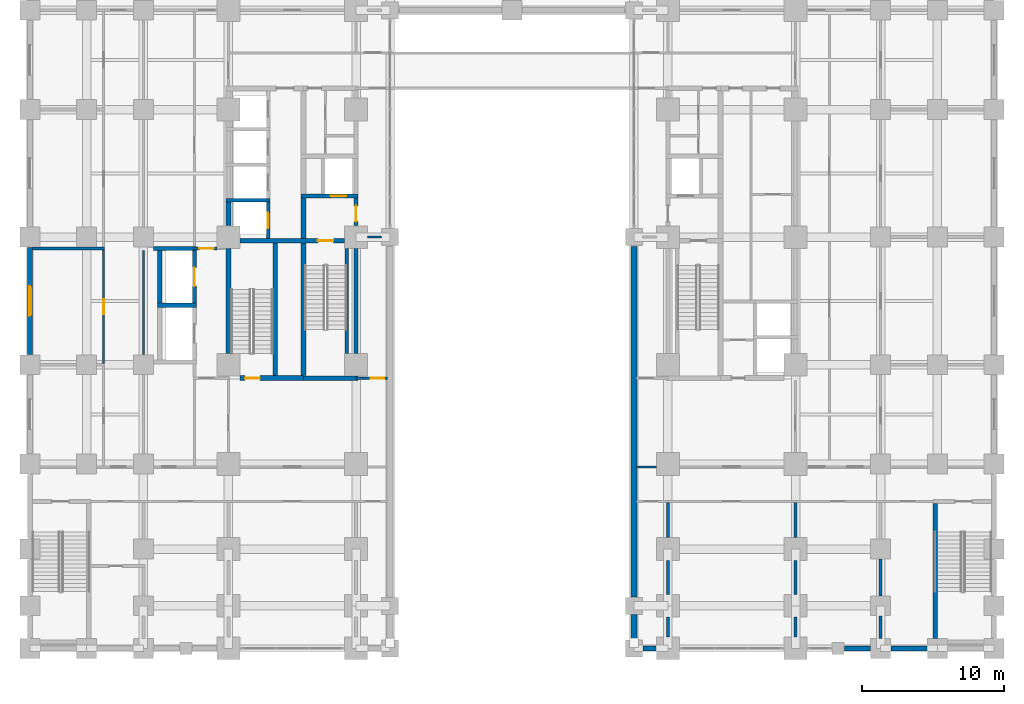
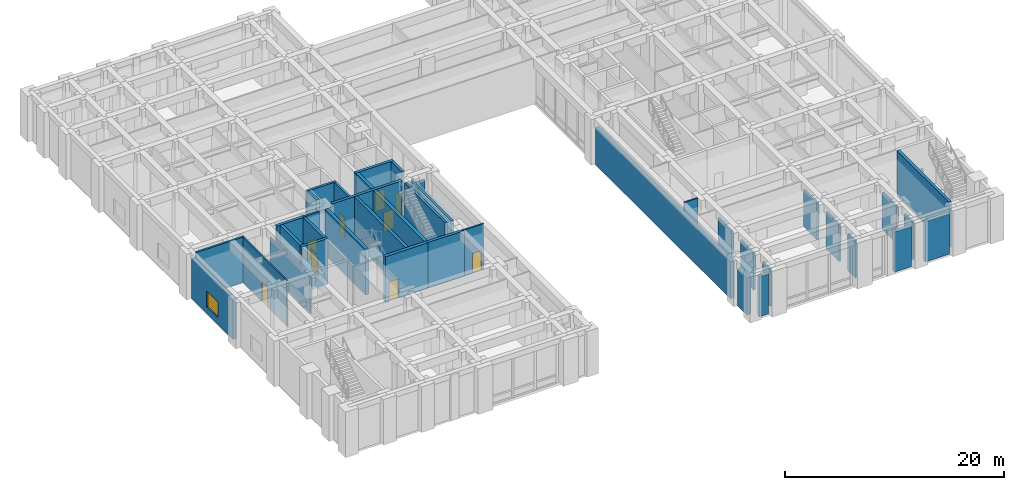
# One storey, part 9 of 21: 40 walls, 9 doors, 1 window, 10 openings.
"""IFC4 building model written with IfcOpenShell, lengths in metres."""

from ifc_helpers import new_model, si_unit, direction, frame, frame_2d, origin, place, context, subcontext, project, spatial, rectangle, extrude, material, layer, layer_set, type_object, element, fill, save


model = new_model("IFC4")

# Units and contexts
model_context = context("Model", 3, precision=1e-05, world=origin(), true_north=direction((0.0, 1.0)))
body_context = subcontext(model_context, "Body", "Model", "MODEL_VIEW")
ifc_project = project(units=[si_unit("LENGTHUNIT", "METRE"), si_unit("AREAUNIT", "SQUARE_METRE"), si_unit("VOLUMEUNIT", "CUBIC_METRE"), si_unit("PLANEANGLEUNIT", "RADIAN"), si_unit("MASSUNIT", "GRAM", prefix="KILO")], contexts=[model_context])

# Site, building, storey
site_placement = place(None, origin())
site = spatial("IfcSite", under=ifc_project, at=site_placement, CompositionType="ELEMENT")
building_placement = place(site_placement, origin())
building = spatial("IfcBuilding", under=site, at=building_placement, Name="Zulmaris Gate Convention Tower", CompositionType="ELEMENT")
storey_placement = place(building_placement, frame((0.0, 0.0, 5.43994140625)))
storey = spatial("IfcBuildingStorey", under=building, at=storey_placement, Name="L01", CompositionType="ELEMENT", Elevation=5.43994140625)

# Wall
ifc_material_1 = material(Name="Concrete C50/60", Category="concrete")
ifc_layer_1 = layer(ifc_material_1, 0.25, Name="Concrete C50/60")
ifc_layer_set_1 = layer_set([ifc_layer_1], Name="Concrete C50/60")
wall_type_1 = type_object("IfcWallType", Name="CORE-250", PredefinedType="SOLIDWALL", material=ifc_layer_set_1)
wall_1_placement = place(storey_placement, frame((-20.175048828125, 2.60009765625, 0.0), z_axis=(0.0, 0.0, 1.0), x_axis=(1.0, 0.0, 0.0)))
element("IfcWall", 1, at=wall_1_placement, inside=storey, type_object=wall_type_1, Name="WL-L01-016", PredefinedType="SOLIDWALL", context=body_context, shape_type="SweptSolid", body=[
    extrude(rectangle(XDim=3.10009765625, YDim=0.25, at=frame_2d((1.550048828125, 0.0))), origin(), (0.0, 0.0, 1.0), 5.08984375),
])

# Wall, opening, door
wall_2_placement = place(storey_placement, frame((-17.199951171875, -0.097900390625, 0.0), z_axis=(0.0, 0.0, 1.0), x_axis=(0.0, 1.0, 0.0)))
wall_2 = element("IfcWall", 2, at=wall_2_placement, inside=storey, type_object=wall_type_1, Name="WL-L01-078", PredefinedType="SOLIDWALL", context=body_context, shape_type="SweptSolid", body=[
    extrude(rectangle(XDim=2.57080078125, YDim=0.25, at=frame_2d((1.285400390625, 0.0))), origin(), (0.0, 0.0, 1.0), 5.08984375),
])
opening_1_placement = place(wall_2_placement, frame((0.722900390625, 0.0, 0.0)))
opening_1 = element("IfcOpeningElement", 3, at=opening_1_placement, cuts=wall_2, Name="Opening D-06", PredefinedType="OPENING", context=body_context, shape_type="SweptSolid", body=[
    extrude(rectangle(XDim=1.10009765625, YDim=2.199951171875, at=frame_2d((0.550048828125, 1.10009765625))), frame((0.0, 0.135009765625, 0.0), z_axis=(0.0, -1.0, 0.0), x_axis=(1.0, 0.0, 0.0)), (0.0, 0.0, 1.0), 0.27001953125),
])
ifc_material_2 = material(Name="Brushed Stainless Steel", Category="steel")
door_type_1 = type_object("IfcDoorType", Name="LD-1100", OperationType="NOTDEFINED", PredefinedType="DOOR", material=ifc_material_2)
door_1_placement = place(opening_1_placement, origin())
door_1 = element("IfcDoor", 4, at=door_1_placement, inside=storey, type_object=door_type_1, Name="L01 Lift Landing Door LP-01 15", OperationType="SLIDING_TO_LEFT", OverallHeight=2.199951171875, OverallWidth=1.10009765625, PredefinedType="DOOR", context=body_context, shape_type="SweptSolid", body=[
    extrude(rectangle(XDim=1.10009765625, YDim=2.199951171875, at=frame_2d((0.550048828125, 1.10009765625))), frame((0.0, 0.02490234375, 0.0), z_axis=(0.0, -1.0, 0.0), x_axis=(1.0, 0.0, 0.0)), (0.0, 0.0, 1.0), 0.050048828125),
])
fill(opening_1, door_1)

# Walls
wall_3_placement = place(storey_placement, frame((-11.64990234375, -8.196044921875, 0.0), z_axis=(0.0, 0.0, 1.0), x_axis=(0.0, 1.0, 0.0)))
element("IfcWall", 5, at=wall_3_placement, inside=storey, type_object=wall_type_1, Name="WL-L01-088", PredefinedType="SOLIDWALL", context=body_context, shape_type="SweptSolid", body=[
    extrude(rectangle(XDim=7.39208984375, YDim=0.25, at=frame_2d((3.696044921875, 0.0))), origin(), (0.0, 0.0, 1.0), 5.08984375),
])
ifc_layer_2 = layer(ifc_material_1, 0.300048828125, Name="Concrete C50/60")
ifc_layer_set_2 = layer_set([ifc_layer_2], Name="Concrete C50/60")
wall_type_2 = type_object("IfcWallType", Name="CORE-300", PredefinedType="SHEAR", material=ifc_layer_set_2)
wall_4_placement = place(storey_placement, frame((-14.699951171875, -9.949951171875, 0.0), z_axis=(0.0, 0.0, 1.0), x_axis=(1.0, 0.0, 0.0)))
element("IfcWall", 6, at=wall_4_placement, inside=storey, type_object=wall_type_2, Name="WL-L01-006", PredefinedType="SHEAR", context=body_context, shape_type="SweptSolid", body=[
    extrude(rectangle(XDim=3.849853515625, YDim=0.300048828125, at=frame_2d((1.9248046875, 0.0))), origin(), (0.0, 0.0, 1.0), 5.08984375),
])
wall_5_placement = place(storey_placement, frame((-25.0, -4.800048828125, 0.0), z_axis=(0.0, 0.0, 1.0), x_axis=(1.0, 0.0, 0.0)))
element("IfcWall", 7, at=wall_5_placement, inside=storey, type_object=wall_type_2, Name="WL-L01-011", PredefinedType="SHEAR", context=body_context, shape_type="SweptSolid", body=[
    extrude(rectangle(XDim=2.75, YDim=0.300048828125, at=frame_2d((1.375, 0.0))), origin(), (0.0, 0.0, 1.0), 5.08984375),
])
wall_6_placement = place(storey_placement, frame((-25.2958984375, -0.800048828125, 0.0), z_axis=(0.0, 0.0, 1.0), x_axis=(1.0, 0.0, 0.0)))
element("IfcWall", 8, at=wall_6_placement, inside=storey, type_object=wall_type_2, Name="WL-L01-013", PredefinedType="SHEAR", context=body_context, shape_type="SweptSolid", body=[
    extrude(rectangle(XDim=3.0458984375, YDim=0.300048828125, at=frame_2d((1.52294921875, 0.0))), origin(), (0.0, 0.0, 1.0), 5.08984375),
])

# Wall, opening, door
wall_7_placement = place(storey_placement, frame((-19.196044921875, -0.25, 0.0), z_axis=(0.0, 0.0, 1.0), x_axis=(1.0, 0.0, 0.0)))
wall_7 = element("IfcWall", 9, at=wall_7_placement, inside=storey, type_object=wall_type_2, Name="WL-L01-014", PredefinedType="SHEAR", context=body_context, shape_type="SweptSolid", body=[
    extrude(rectangle(XDim=7.39208984375, YDim=0.300048828125, at=frame_2d((3.696044921875, 0.0))), origin(), (0.0, 0.0, 1.0), 5.08984375),
])
opening_2_placement = place(wall_7_placement, frame((5.49609375, 0.0, 0.0)))
opening_2 = element("IfcOpeningElement", 10, at=opening_2_placement, cuts=wall_7, Name="Opening D-08", PredefinedType="OPENING", context=body_context, shape_type="SweptSolid", body=[
    extrude(rectangle(XDim=1.10009765625, YDim=2.14990234375, at=frame_2d((0.550048828125, 1.074951171875))), frame((0.0, 0.16015625, 0.0), z_axis=(0.0, -1.0, 0.0), x_axis=(1.0, 0.0, 0.0)), (0.0, 0.0, 1.0), 0.320068359375),
])
ifc_material_3 = material(Name="Fire-Rated Steel", Category="steel")
door_type_2 = type_object("IfcDoorType", Name="DR-1100-FD", OperationType="NOTDEFINED", PredefinedType="DOOR", material=ifc_material_3)
door_2_placement = place(opening_2_placement, origin())
door_2 = element("IfcDoor", 11, at=door_2_placement, inside=storey, type_object=door_type_2, Name="L01 Exit Stair ST-1 Door 01", OperationType="SINGLE_SWING_LEFT", OverallHeight=2.14990234375, OverallWidth=1.10009765625, PredefinedType="DOOR", context=body_context, shape_type="SweptSolid", body=[
    extrude(rectangle(XDim=1.10009765625, YDim=2.14990234375, at=frame_2d((0.550048828125, 1.074951171875))), frame((0.0, 0.02490234375, 0.0), z_axis=(0.0, -1.0, 0.0), x_axis=(1.0, 0.0, 0.0)), (0.0, 0.0, 1.0), 0.050048828125),
])
fill(opening_2, door_2)

wall_8_placement = place(storey_placement, frame((-14.875, 2.89990234375, 0.0), z_axis=(0.0, 0.0, 1.0), x_axis=(1.0, 0.0, 0.0)))
wall_8 = element("IfcWall", 12, at=wall_8_placement, inside=storey, type_object=wall_type_2, Name="WL-L01-017", PredefinedType="SHEAR", context=body_context, shape_type="SweptSolid", body=[
    extrude(rectangle(XDim=4.02490234375, YDim=0.300048828125, at=frame_2d((2.012451171875, 0.0))), origin(), (0.0, 0.0, 1.0), 5.08984375),
])
opening_3_placement = place(wall_8_placement, frame((2.074951171875, 0.0, 0.0)))
opening_3 = element("IfcOpeningElement", 13, at=opening_3_placement, cuts=wall_8, Name="Opening D-06", PredefinedType="OPENING", context=body_context, shape_type="SweptSolid", body=[
    extrude(rectangle(XDim=1.10009765625, YDim=2.199951171875, at=frame_2d((0.550048828125, 1.10009765625))), frame((0.0, 0.16015625, 0.0), z_axis=(0.0, -1.0, 0.0), x_axis=(1.0, 0.0, 0.0)), (0.0, 0.0, 1.0), 0.320068359375),
])
door_3_placement = place(opening_3_placement, origin())
door_3 = element("IfcDoor", 14, at=door_3_placement, inside=storey, type_object=door_type_1, Name="L01 Lift Landing Door LF-01 03", OperationType="SLIDING_TO_LEFT", OverallHeight=2.199951171875, OverallWidth=1.10009765625, PredefinedType="DOOR", context=body_context, shape_type="SweptSolid", body=[
    extrude(rectangle(XDim=1.10009765625, YDim=2.199951171875, at=frame_2d((0.550048828125, 1.10009765625))), frame((0.0, 0.02490234375, 0.0), z_axis=(0.0, -1.0, 0.0), x_axis=(1.0, 0.0, 0.0)), (0.0, 0.0, 1.0), 0.050048828125),
])
fill(opening_3, door_3)

# Wall
wall_9_placement = place(storey_placement, frame((-24.85009765625, -4.64794921875, 0.0), z_axis=(0.0, 0.0, 1.0), x_axis=(0.0, 1.0, 0.0)))
element("IfcWall", 15, at=wall_9_placement, inside=storey, type_object=wall_type_2, Name="WL-L01-070", PredefinedType="SHEAR", context=body_context, shape_type="SweptSolid", body=[
    extrude(rectangle(XDim=3.696044921875, YDim=0.300048828125, at=frame_2d((1.84814453125, 0.0))), origin(), (0.0, 0.0, 1.0), 5.08984375),
])

# Wall, opening, door
wall_10_placement = place(storey_placement, frame((-22.39990234375, -4.64794921875, 0.0), z_axis=(0.0, 0.0, 1.0), x_axis=(0.0, 1.0, 0.0)))
wall_10 = element("IfcWall", 16, at=wall_10_placement, inside=storey, type_object=wall_type_2, Name="WL-L01-072", PredefinedType="SHEAR", context=body_context, shape_type="SweptSolid", body=[
    extrude(rectangle(XDim=3.696044921875, YDim=0.300048828125, at=frame_2d((1.84814453125, 0.0))), origin(), (0.0, 0.0, 1.0), 5.08984375),
])
opening_4_placement = place(wall_10_placement, frame((1.197998046875, 0.0, 0.0)))
opening_4 = element("IfcOpeningElement", 17, at=opening_4_placement, cuts=wall_10, Name="Opening D-07", PredefinedType="OPENING", context=body_context, shape_type="SweptSolid", body=[
    extrude(rectangle(XDim=1.300048828125, YDim=2.300048828125, at=frame_2d((0.64990234375, 1.14990234375))), frame((0.0, 0.16015625, 0.0), z_axis=(0.0, -1.0, 0.0), x_axis=(1.0, 0.0, 0.0)), (0.0, 0.0, 1.0), 0.320068359375),
])
ifc_material_4 = material(Name="Heavy-Duty Brushed Stainless Steel", Category="steel")
door_type_3 = type_object("IfcDoorType", Name="LD-1300", OperationType="NOTDEFINED", PredefinedType="DOOR", material=ifc_material_4)
door_4_placement = place(opening_4_placement, origin())
door_4 = element("IfcDoor", 18, at=door_4_placement, inside=storey, type_object=door_type_3, Name="L01 Goods Lift Door GL-02 25", OperationType="SLIDING_TO_LEFT", OverallHeight=2.300048828125, OverallWidth=1.300048828125, PredefinedType="DOOR", context=body_context, shape_type="SweptSolid", body=[
    extrude(rectangle(XDim=1.300048828125, YDim=2.300048828125, at=frame_2d((0.64990234375, 1.14990234375))), frame((0.0, 0.02490234375, 0.0), z_axis=(0.0, -1.0, 0.0), x_axis=(1.0, 0.0, 0.0)), (0.0, 0.0, 1.0), 0.050048828125),
])
fill(opening_4, door_4)

# Walls
wall_11_placement = place(storey_placement, frame((-16.699951171875, -9.77294921875, 0.0), z_axis=(0.0, 0.0, 1.0), x_axis=(0.0, 1.0, 0.0)))
element("IfcWall", 19, at=wall_11_placement, inside=storey, type_object=wall_type_2, Name="WL-L01-082", PredefinedType="SHEAR", context=body_context, shape_type="SweptSolid", body=[
    extrude(rectangle(XDim=9.370849609375, YDim=0.300048828125, at=frame_2d((4.685546875, 0.0))), origin(), (0.0, 0.0, 1.0), 5.08984375),
])
wall_12_placement = place(storey_placement, frame((-11.0, -8.196044921875, 0.0), z_axis=(0.0, 0.0, 1.0), x_axis=(0.0, 1.0, 0.0)))
element("IfcWall", 20, at=wall_12_placement, inside=storey, type_object=wall_type_2, Name="WL-L01-089", PredefinedType="SHEAR", context=body_context, shape_type="SweptSolid", body=[
    extrude(rectangle(XDim=7.39208984375, YDim=0.300048828125, at=frame_2d((3.696044921875, 0.0))), origin(), (0.0, 0.0, 1.0), 5.08984375),
])

# Wall, opening, door
wall_13_placement = place(storey_placement, frame((-11.0, 0.803955078125, 0.0), z_axis=(0.0, 0.0, 1.0), x_axis=(0.0, 1.0, 0.0)))
wall_13 = element("IfcWall", 21, at=wall_13_placement, inside=storey, type_object=wall_type_2, Name="WL-L01-090", PredefinedType="SHEAR", context=body_context, shape_type="SweptSolid", body=[
    extrude(rectangle(XDim=1.944091796875, YDim=0.300048828125, at=frame_2d((0.97216796875, 0.0))), origin(), (0.0, 0.0, 1.0), 5.08984375),
])
opening_5_placement = place(wall_13_placement, frame((0.2958984375, 0.0, 0.0)))
opening_5 = element("IfcOpeningElement", 22, at=opening_5_placement, cuts=wall_13, Name="Opening D-08", PredefinedType="OPENING", context=body_context, shape_type="SweptSolid", body=[
    extrude(rectangle(XDim=1.10009765625, YDim=2.14990234375, at=frame_2d((0.550048828125, 1.074951171875))), frame((0.0, 0.16015625, 0.0), z_axis=(0.0, -1.0, 0.0), x_axis=(1.0, 0.0, 0.0)), (0.0, 0.0, 1.0), 0.320068359375),
])
door_5_placement = place(opening_5_placement, origin())
door_5 = element("IfcDoor", 23, at=door_5_placement, inside=storey, type_object=door_type_2, Name="L01 West Firefighting Lobby Door 02", OperationType="SINGLE_SWING_RIGHT", OverallHeight=2.14990234375, OverallWidth=1.10009765625, PredefinedType="DOOR", context=body_context, shape_type="SweptSolid", body=[
    extrude(rectangle(XDim=1.10009765625, YDim=2.14990234375, at=frame_2d((0.550048828125, 1.074951171875))), frame((0.0, 0.02490234375, 0.0), z_axis=(0.0, -1.0, 0.0), x_axis=(1.0, 0.0, 0.0)), (0.0, 0.0, 1.0), 0.050048828125),
])
fill(opening_5, door_5)

# Wall
wall_14_placement = place(storey_placement, frame((29.85009765625, -28.2958984375, 0.0), z_axis=(0.0, 0.0, 1.0), x_axis=(0.0, 1.0, 0.0)))
element("IfcWall", 24, at=wall_14_placement, inside=storey, type_object=wall_type_2, Name="WL-L01-108", PredefinedType="SHEAR", context=body_context, shape_type="SweptSolid", body=[
    extrude(rectangle(XDim=9.493896484375, YDim=0.300048828125, at=frame_2d((4.7470703125, 0.0))), origin(), (0.0, 0.0, 1.0), 5.08984375),
])

# Wall, opening, door
ifc_material_5 = material(Name="Concrete C55/67", Category="concrete")
ifc_layer_3 = layer(ifc_material_5, 0.35009765625, Name="Concrete C55/67")
ifc_layer_set_3 = layer_set([ifc_layer_3], Name="Concrete C55/67")
wall_type_3 = type_object("IfcWallType", Name="CORE-350", PredefinedType="SHEAR", material=ifc_layer_set_3)
wall_15_placement = place(storey_placement, frame((-19.196044921875, -9.949951171875, 0.0), z_axis=(0.0, 0.0, 1.0), x_axis=(1.0, 0.0, 0.0)))
wall_15 = element("IfcWall", 25, at=wall_15_placement, inside=storey, type_object=wall_type_3, Name="WL-L01-005", PredefinedType="SHEAR", context=body_context, shape_type="SweptSolid", body=[
    extrude(rectangle(XDim=4.49609375, YDim=0.35009765625, at=frame_2d((2.248046875, 0.0))), origin(), (0.0, 0.0, 1.0), 5.08984375),
])
opening_6_placement = place(wall_15_placement, frame((0.37109375, 0.0, 0.0)))
opening_6 = element("IfcOpeningElement", 26, at=opening_6_placement, cuts=wall_15, Name="Opening D-09", PredefinedType="OPENING", context=body_context, shape_type="SweptSolid", body=[
    extrude(rectangle(XDim=1.050048828125, YDim=2.14990234375, at=frame_2d((0.52490234375, 1.074951171875))), frame((0.0, 0.18505859375, 0.0), z_axis=(0.0, -1.0, 0.0), x_axis=(1.0, 0.0, 0.0)), (0.0, 0.0, 1.0), 0.3701171875),
])
door_type_4 = type_object("IfcDoorType", Name="DR-1050-FD", OperationType="NOTDEFINED", PredefinedType="DOOR", material=ifc_material_3)
door_6_placement = place(opening_6_placement, origin())
door_6 = element("IfcDoor", 27, at=door_6_placement, inside=storey, type_object=door_type_4, Name="L01 Exit Stair ST-3 Door 13", OperationType="SINGLE_SWING_LEFT", OverallHeight=2.14990234375, OverallWidth=1.050048828125, PredefinedType="DOOR", context=body_context, shape_type="SweptSolid", body=[
    extrude(rectangle(XDim=1.050048828125, YDim=2.14990234375, at=frame_2d((0.52490234375, 1.074951171875))), frame((0.0, 0.02490234375, 0.0), z_axis=(0.0, -1.0, 0.0), x_axis=(1.0, 0.0, 0.0)), (0.0, 0.0, 1.0), 0.050048828125),
])
fill(opening_6, door_6)

# Walls
wall_16_placement = place(storey_placement, frame((-20.0, -8.196044921875, 0.0), z_axis=(0.0, 0.0, 1.0), x_axis=(0.0, 1.0, 0.0)))
element("IfcWall", 28, at=wall_16_placement, inside=storey, type_object=wall_type_3, Name="WL-L01-073", PredefinedType="SHEAR", context=body_context, shape_type="SweptSolid", body=[
    extrude(rectangle(XDim=7.39208984375, YDim=0.35009765625, at=frame_2d((3.696044921875, 0.0))), origin(), (0.0, 0.0, 1.0), 5.08984375),
])
wall_17_placement = place(storey_placement, frame((-20.0, 0.803955078125, 0.0), z_axis=(0.0, 0.0, 1.0), x_axis=(0.0, 1.0, 0.0)))
element("IfcWall", 29, at=wall_17_placement, inside=storey, type_object=wall_type_3, Name="WL-L01-074", PredefinedType="SHEAR", context=body_context, shape_type="SweptSolid", body=[
    extrude(rectangle(XDim=1.6689453125, YDim=0.35009765625, at=frame_2d((0.83447265625, 0.0))), origin(), (0.0, 0.0, 1.0), 5.08984375),
])
wall_18_placement = place(storey_placement, frame((-14.699951171875, -9.77294921875, 0.0), z_axis=(0.0, 0.0, 1.0), x_axis=(0.0, 1.0, 0.0)))
element("IfcWall", 30, at=wall_18_placement, inside=storey, type_object=wall_type_3, Name="WL-L01-083", PredefinedType="SHEAR", context=body_context, shape_type="SweptSolid", body=[
    extrude(rectangle(XDim=9.370849609375, YDim=0.35009765625, at=frame_2d((4.685546875, 0.0))), origin(), (0.0, 0.0, 1.0), 5.08984375),
])
wall_19_placement = place(storey_placement, frame((-14.699951171875, -0.097900390625, 0.0), z_axis=(0.0, 0.0, 1.0), x_axis=(0.0, 1.0, 0.0)))
element("IfcWall", 31, at=wall_19_placement, inside=storey, type_object=wall_type_3, Name="WL-L01-084", PredefinedType="SHEAR", context=body_context, shape_type="SweptSolid", body=[
    extrude(rectangle(XDim=2.845947265625, YDim=0.35009765625, at=frame_2d((1.4228515625, 0.0))), origin(), (0.0, 0.0, 1.0), 5.08984375),
])
ifc_material_6 = material(Name="Gypsum Metal Stud Partition")
ifc_layer_4 = layer(ifc_material_6, 0.14990234375, Name="Gypsum Metal Stud Partition")
ifc_layer_set_4 = layer_set([ifc_layer_4], Name="Gypsum Metal Stud Partition")
wall_type_4 = type_object("IfcWallType", Name="PART-150", PredefinedType="PARTITIONING", material=ifc_layer_set_4)
wall_20_placement = place(storey_placement, frame((8.764892578125, -16.199951171875, 0.0), z_axis=(0.0, 0.0, 1.0), x_axis=(1.0, 0.0, 0.0)))
element("IfcWall", 32, at=wall_20_placement, inside=storey, type_object=wall_type_4, Name="WL-L01-033", PredefinedType="PARTITIONING", context=body_context, shape_type="SweptSolid", body=[
    extrude(rectangle(XDim=1.42919921875, YDim=0.14990234375, at=frame_2d((0.714599609375, 0.0))), origin(), (0.0, 0.0, 1.0), 5.08984375),
])

# Wall, opening, door
wall_21_placement = place(storey_placement, frame((-11.0, -9.949951171875, 0.0), z_axis=(0.0, 0.0, 1.0), x_axis=(1.0, 0.0, 0.0)))
wall_21 = element("IfcWall", 33, at=wall_21_placement, inside=storey, type_object=wall_type_4, Name="WL-L01-035", PredefinedType="PARTITIONING", context=body_context, shape_type="SweptSolid", body=[
    extrude(rectangle(XDim=2.235107421875, YDim=0.14990234375, at=frame_2d((1.11767578125, 0.0))), origin(), (0.0, 0.0, 1.0), 5.08984375),
])
opening_7_placement = place(wall_21_placement, frame((1.044921875, 0.0, 0.0)))
opening_7 = element("IfcOpeningElement", 34, at=opening_7_placement, cuts=wall_21, Name="Opening D-11", PredefinedType="OPENING", context=body_context, shape_type="SweptSolid", body=[
    extrude(rectangle(XDim=0.949951171875, YDim=2.14990234375, at=frame_2d((0.47509765625, 1.074951171875))), frame((0.0, 0.0849609375, 0.0), z_axis=(0.0, -1.0, 0.0), x_axis=(1.0, 0.0, 0.0)), (0.0, 0.0, 1.0), 0.169921875),
])
ifc_material_7 = material(Name="Fire-Rated Timber", Category="wood")
door_type_5 = type_object("IfcDoorType", Name="DR-950-FD", OperationType="NOTDEFINED", PredefinedType="DOOR", material=ifc_material_7)
door_7_placement = place(opening_7_placement, origin())
door_7 = element("IfcDoor", 35, at=door_7_placement, inside=storey, type_object=door_type_5, Name="L01 SW Arch Store Door 30", OperationType="SINGLE_SWING_RIGHT", OverallHeight=2.14990234375, OverallWidth=0.949951171875, PredefinedType="DOOR", context=body_context, shape_type="SweptSolid", body=[
    extrude(rectangle(XDim=0.949951171875, YDim=2.14990234375, at=frame_2d((0.47509765625, 1.074951171875))), frame((0.0, 0.02490234375, 0.0), z_axis=(0.0, -1.0, 0.0), x_axis=(1.0, 0.0, 0.0)), (0.0, 0.0, 1.0), 0.050048828125),
])
fill(opening_7, door_7)

# Wall
wall_22_placement = place(storey_placement, frame((-10.194091796875, 0.0, 0.0), z_axis=(0.0, 0.0, 1.0), x_axis=(1.0, 0.0, 0.0)))
element("IfcWall", 36, at=wall_22_placement, inside=storey, type_object=wall_type_4, Name="WL-L01-043", PredefinedType="PARTITIONING", context=body_context, shape_type="SweptSolid", body=[
    extrude(rectangle(XDim=0.988037109375, YDim=0.14990234375, at=frame_2d((0.494140625, 0.0))), origin(), (0.0, 0.0, 1.0), 4.132080078125),
])

# Wall, opening, door
wall_23_placement = place(storey_placement, frame((-28.800048828125, -8.89697265625, 0.0), z_axis=(0.0, 0.0, 1.0), x_axis=(0.0, 1.0, 0.0)))
wall_23 = element("IfcWall", 37, at=wall_23_placement, inside=storey, type_object=wall_type_4, Name="WL-L01-112", PredefinedType="PARTITIONING", context=body_context, shape_type="SweptSolid", body=[
    extrude(rectangle(XDim=7.993896484375, YDim=0.14990234375, at=frame_2d((3.9970703125, 0.0))), origin(), (0.0, 0.0, 1.0), 5.08984375),
])
opening_8_placement = place(wall_23_placement, frame((3.471923828125, 0.0, 0.0)))
opening_8 = element("IfcOpeningElement", 38, at=opening_8_placement, cuts=wall_23, Name="Opening D-09", PredefinedType="OPENING", context=body_context, shape_type="SweptSolid", body=[
    extrude(rectangle(XDim=1.050048828125, YDim=2.14990234375, at=frame_2d((0.52490234375, 1.074951171875))), frame((0.0, 0.0849609375, 0.0), z_axis=(0.0, -1.0, 0.0), x_axis=(1.0, 0.0, 0.0)), (0.0, 0.0, 1.0), 0.169921875),
])
door_8_placement = place(opening_8_placement, origin())
door_8 = element("IfcDoor", 39, at=door_8_placement, inside=storey, type_object=door_type_4, Name="L01 SW Workshop WL2 Door 68", OperationType="SINGLE_SWING_RIGHT", OverallHeight=2.14990234375, OverallWidth=1.050048828125, PredefinedType="DOOR", context=body_context, shape_type="SweptSolid", body=[
    extrude(rectangle(XDim=1.050048828125, YDim=2.14990234375, at=frame_2d((0.52490234375, 1.074951171875))), frame((0.0, 0.02490234375, 0.0), z_axis=(0.0, -1.0, 0.0), x_axis=(1.0, 0.0, 0.0)), (0.0, 0.0, 1.0), 0.050048828125),
])
fill(opening_8, door_8)

# Walls
wall_24_placement = place(storey_placement, frame((-26.0, -8.2939453125, 0.0), z_axis=(0.0, 0.0, 1.0), x_axis=(0.0, 1.0, 0.0)))
element("IfcWall", 40, at=wall_24_placement, inside=storey, type_object=wall_type_4, Name="WL-L01-118", PredefinedType="PARTITIONING", context=body_context, shape_type="SweptSolid", body=[
    extrude(rectangle(XDim=7.341064453125, YDim=0.14990234375, at=frame_2d((3.67041015625, 0.0))), origin(), (0.0, 0.0, 1.0), 4.132080078125),
])
ifc_material_8 = material(Name="Autoclaved Aerated Concrete Block and Plasterboard", Category="concrete")
ifc_layer_5 = layer(ifc_material_8, 0.199951171875, Name="Autoclaved Aerated Concrete Block and Plasterboard")
ifc_layer_set_5 = layer_set([ifc_layer_5], Name="Autoclaved Aerated Concrete Block and Plasterboard")
wall_type_5 = type_object("IfcWallType", Name="PART-200", PredefinedType="PARTITIONING", material=ifc_layer_set_5)
wall_25_placement = place(storey_placement, frame((-33.8349609375, -0.800048828125, 0.0), z_axis=(0.0, 0.0, 1.0), x_axis=(1.0, 0.0, 0.0)))
element("IfcWall", 41, at=wall_25_placement, inside=storey, type_object=wall_type_5, Name="WL-L01-041", PredefinedType="PARTITIONING", context=body_context, shape_type="SweptSolid", body=[
    extrude(rectangle(XDim=5.10986328125, YDim=0.199951171875, at=frame_2d((2.554931640625, 0.0))), origin(), (0.0, 0.0, 1.0), 5.08984375),
])

# Wall, opening, door
wall_26_placement = place(storey_placement, frame((-22.47509765625, -0.800048828125, 0.0), z_axis=(0.0, 0.0, 1.0), x_axis=(1.0, 0.0, 0.0)))
wall_26 = element("IfcWall", 42, at=wall_26_placement, inside=storey, type_object=wall_type_5, Name="WL-L01-042", PredefinedType="PARTITIONING", context=body_context, shape_type="SweptSolid", body=[
    extrude(rectangle(XDim=1.669189453125, YDim=0.199951171875, at=frame_2d((0.83447265625, 0.0))), origin(), (0.0, 0.0, 1.0), 5.08984375),
])
opening_9_placement = place(wall_26_placement, frame((0.425048828125, 0.0, 0.0)))
opening_9 = element("IfcOpeningElement", 43, at=opening_9_placement, cuts=wall_26, Name="Opening D-10", PredefinedType="OPENING", context=body_context, shape_type="SweptSolid", body=[
    extrude(rectangle(XDim=1.0, YDim=2.14990234375, at=frame_2d((0.5, 1.074951171875))), frame((0.0, 0.10986328125, 0.0), z_axis=(0.0, -1.0, 0.0), x_axis=(1.0, 0.0, 0.0)), (0.0, 0.0, 1.0), 0.219970703125),
])
door_type_6 = type_object("IfcDoorType", Name="DR-1000-FD", OperationType="NOTDEFINED", PredefinedType="DOOR", material=ifc_material_7)
door_9_placement = place(opening_9_placement, origin())
door_9 = element("IfcDoor", 44, at=door_9_placement, inside=storey, type_object=door_type_6, Name="L01 Goods Lobby Door 26", OperationType="SINGLE_SWING_RIGHT", OverallHeight=2.14990234375, OverallWidth=1.0, PredefinedType="DOOR", context=body_context, shape_type="SweptSolid", body=[
    extrude(rectangle(XDim=1.0, YDim=2.14990234375, at=frame_2d((0.5, 1.074951171875))), frame((0.0, 0.02490234375, 0.0), z_axis=(0.0, -1.0, 0.0), x_axis=(1.0, 0.0, 0.0)), (0.0, 0.0, 1.0), 0.050048828125),
])
fill(opening_9, door_9)

# Walls
wall_27_placement = place(storey_placement, frame((11.0, -28.194091796875, 0.0), z_axis=(0.0, 0.0, 1.0), x_axis=(0.0, 1.0, 0.0)))
element("IfcWall", 45, at=wall_27_placement, inside=storey, type_object=wall_type_5, Name="WL-L01-137", PredefinedType="PARTITIONING", context=body_context, shape_type="SweptSolid", body=[
    extrude(rectangle(XDim=1.38818359375, YDim=0.199951171875, at=frame_2d((0.694091796875, 0.0))), origin(), (0.0, 0.0, 1.0), 4.132080078125),
])
wall_28_placement = place(storey_placement, frame((11.0, -25.194091796875, 0.0), z_axis=(0.0, 0.0, 1.0), x_axis=(0.0, 1.0, 0.0)))
element("IfcWall", 46, at=wall_28_placement, inside=storey, type_object=wall_type_5, Name="WL-L01-137S1", PredefinedType="PARTITIONING", context=body_context, shape_type="SweptSolid", body=[
    extrude(rectangle(XDim=2.38818359375, YDim=0.199951171875, at=frame_2d((1.194091796875, 0.0))), origin(), (0.0, 0.0, 1.0), 4.132080078125),
])
wall_29_placement = place(storey_placement, frame((11.0, -21.194091796875, 0.0), z_axis=(0.0, 0.0, 1.0), x_axis=(0.0, 1.0, 0.0)))
element("IfcWall", 47, at=wall_29_placement, inside=storey, type_object=wall_type_5, Name="WL-L01-137S2", PredefinedType="PARTITIONING", context=body_context, shape_type="SweptSolid", body=[
    extrude(rectangle(XDim=2.466064453125, YDim=0.199951171875, at=frame_2d((1.23291015625, 0.0))), origin(), (0.0, 0.0, 1.0), 4.132080078125),
])
wall_30_placement = place(storey_placement, frame((20.0, -28.194091796875, 0.0), z_axis=(0.0, 0.0, 1.0), x_axis=(0.0, 1.0, 0.0)))
element("IfcWall", 48, at=wall_30_placement, inside=storey, type_object=wall_type_5, Name="WL-L01-146", PredefinedType="PARTITIONING", context=body_context, shape_type="SweptSolid", body=[
    extrude(rectangle(XDim=1.38818359375, YDim=0.199951171875, at=frame_2d((0.694091796875, 0.0))), origin(), (0.0, 0.0, 1.0), 4.132080078125),
])
wall_31_placement = place(storey_placement, frame((20.0, -25.194091796875, 0.0), z_axis=(0.0, 0.0, 1.0), x_axis=(0.0, 1.0, 0.0)))
element("IfcWall", 49, at=wall_31_placement, inside=storey, type_object=wall_type_5, Name="WL-L01-146S1", PredefinedType="PARTITIONING", context=body_context, shape_type="SweptSolid", body=[
    extrude(rectangle(XDim=2.38818359375, YDim=0.199951171875, at=frame_2d((1.194091796875, 0.0))), origin(), (0.0, 0.0, 1.0), 4.132080078125),
])
wall_32_placement = place(storey_placement, frame((20.0, -21.194091796875, 0.0), z_axis=(0.0, 0.0, 1.0), x_axis=(0.0, 1.0, 0.0)))
element("IfcWall", 50, at=wall_32_placement, inside=storey, type_object=wall_type_5, Name="WL-L01-146S2", PredefinedType="PARTITIONING", context=body_context, shape_type="SweptSolid", body=[
    extrude(rectangle(XDim=2.466064453125, YDim=0.199951171875, at=frame_2d((1.23291015625, 0.0))), origin(), (0.0, 0.0, 1.0), 4.132080078125),
])
wall_33_placement = place(storey_placement, frame((26.0, -28.2939453125, 0.0), z_axis=(0.0, 0.0, 1.0), x_axis=(0.0, 1.0, 0.0)))
element("IfcWall", 51, at=wall_33_placement, inside=storey, type_object=wall_type_5, Name="WL-L01-154", PredefinedType="PARTITIONING", context=body_context, shape_type="SweptSolid", body=[
    extrude(rectangle(XDim=1.587890625, YDim=0.199951171875, at=frame_2d((0.7939453125, 0.0))), origin(), (0.0, 0.0, 1.0), 4.132080078125),
])
wall_34_placement = place(storey_placement, frame((26.0, -25.2939453125, 0.0), z_axis=(0.0, 0.0, 1.0), x_axis=(0.0, 1.0, 0.0)))
element("IfcWall", 52, at=wall_34_placement, inside=storey, type_object=wall_type_5, Name="WL-L01-154S1", PredefinedType="PARTITIONING", context=body_context, shape_type="SweptSolid", body=[
    extrude(rectangle(XDim=2.587890625, YDim=0.199951171875, at=frame_2d((1.2939453125, 0.0))), origin(), (0.0, 0.0, 1.0), 4.132080078125),
])
ifc_material_9 = material(Name="Precast concrete C50/60", Category="concrete")
ifc_layer_6 = layer(ifc_material_9, 0.39990234375, Name="Precast concrete C50/60")
ifc_layer_set_6 = layer_set([ifc_layer_6], Name="Precast concrete C50/60")
wall_type_6 = type_object("IfcWallType", Name="PRECAST-ARCH-400", PredefinedType="STANDARD", material=ifc_layer_set_6)
wall_35_placement = place(storey_placement, frame((8.60009765625, -0.64990234375, 0.0), z_axis=(0.0, 0.0, 1.0), x_axis=(0.0, -1.0, 0.0)))
element("IfcWall", 53, at=wall_35_placement, inside=storey, type_object=wall_type_6, Name="EW-L01-ARCH-ES_0", PredefinedType="STANDARD", context=body_context, shape_type="SweptSolid", body=[
    extrude(rectangle(XDim=24.72021484375, YDim=0.39990234375, at=frame_2d((12.360107421875, 0.0))), origin(), (0.0, 0.0, 1.0), 4.132080078125),
])
wall_36_placement = place(storey_placement, frame((8.60009765625, -26.6298828125, 0.0), z_axis=(0.0, 0.0, 1.0), x_axis=(0.0, -1.0, 0.0)))
element("IfcWall", 54, at=wall_36_placement, inside=storey, type_object=wall_type_6, Name="EW-L01-ARCH-ES_1", PredefinedType="STANDARD", context=body_context, shape_type="SweptSolid", body=[
    extrude(rectangle(XDim=1.72021484375, YDim=0.39990234375, at=frame_2d((0.860107421875, 0.0))), origin(), (0.0, 0.0, 1.0), 4.132080078125),
])
ifc_material_10 = material(Name="Precast concrete C45/55", Category="concrete")
ifc_layer_7 = layer(ifc_material_10, 0.35009765625, Name="Precast concrete C45/55")
ifc_layer_set_7 = layer_set([ifc_layer_7], Name="Precast concrete C45/55")
wall_type_7 = type_object("IfcWallType", Name="PRECAST-POD-350", PredefinedType="STANDARD", material=ifc_layer_set_7)
wall_37_placement = place(storey_placement, frame((9.22998046875, -29.0, 0.0), z_axis=(0.0, 0.0, 1.0), x_axis=(1.0, 0.0, 0.0)))
element("IfcWall", 55, at=wall_37_placement, inside=storey, type_object=wall_type_7, Name="EW-L01-S-86_0", PredefinedType="STANDARD", context=body_context, shape_type="SweptSolid", body=[
    extrude(rectangle(XDim=0.93994140625, YDim=0.35009765625, at=frame_2d((0.469970703125, 0.0))), origin(), (0.0, 0.0, 1.0), 4.48193359375),
])
wall_38_placement = place(storey_placement, frame((23.455078125, -29.0, 0.0), z_axis=(0.0, 0.0, 1.0), x_axis=(1.0, 0.0, 0.0)))
element("IfcWall", 56, at=wall_38_placement, inside=storey, type_object=wall_type_7, Name="EW-L01-S-230_0", PredefinedType="STANDARD", context=body_context, shape_type="SweptSolid", body=[
    extrude(rectangle(XDim=1.81494140625, YDim=0.35009765625, at=frame_2d((0.907470703125, 0.0))), origin(), (0.0, 0.0, 1.0), 4.48193359375),
])
wall_39_placement = place(storey_placement, frame((26.72998046875, -29.0, 0.0), z_axis=(0.0, 0.0, 1.0), x_axis=(1.0, 0.0, 0.0)))
element("IfcWall", 57, at=wall_39_placement, inside=storey, type_object=wall_type_7, Name="EW-L01-S-260_0", PredefinedType="STANDARD", context=body_context, shape_type="SweptSolid", body=[
    extrude(rectangle(XDim=2.5400390625, YDim=0.35009765625, at=frame_2d((1.27001953125, 0.0))), origin(), (0.0, 0.0, 1.0), 4.48193359375),
])

# Wall, opening, window
wall_40_placement = place(storey_placement, frame((-34.0, -8.27001953125, 0.0), z_axis=(0.0, 0.0, 1.0), x_axis=(0.0, 1.0, 0.0)))
wall_40 = element("IfcWall", 58, at=wall_40_placement, inside=storey, type_object=wall_type_7, Name="EW-L01-W--9_0", PredefinedType="STANDARD", context=body_context, shape_type="SweptSolid", body=[
    extrude(rectangle(XDim=7.5400390625, YDim=0.35009765625, at=frame_2d((3.77001953125, 0.0))), origin(), (0.0, 0.0, 1.0), 4.48193359375),
])
opening_10_placement = place(wall_40_placement, frame((2.719970703125, 0.0, 0.75)))
opening_10 = element("IfcOpeningElement", 59, at=opening_10_placement, cuts=wall_40, Name="Opening W-05", PredefinedType="OPENING", context=body_context, shape_type="SweptSolid", body=[
    extrude(rectangle(XDim=2.10009765625, YDim=1.75, at=frame_2d((1.050048828125, 0.875))), frame((0.0, 0.18505859375, 0.0), z_axis=(0.0, -1.0, 0.0), x_axis=(1.0, 0.0, 0.0)), (0.0, 0.0, 1.0), 0.3701171875),
])
ifc_material_11 = material(Name="Low-E Laminated Double Glazing in Aluminium Frame", Category="aluminium")
window_type = type_object("IfcWindowType", Name="WIN-2100x2400", PartitioningType="SINGLE_PANEL", PredefinedType="WINDOW", material=ifc_material_11)
window_placement = place(opening_10_placement, origin())
window = element("IfcWindow", 60, at=window_placement, inside=storey, type_object=window_type, Name="WN-EW-L01-W--9_0", OverallHeight=1.75, OverallWidth=2.10009765625, PartitioningType="SINGLE_PANEL", PredefinedType="WINDOW", context=body_context, shape_type="SweptSolid", body=[
    extrude(rectangle(XDim=2.10009765625, YDim=1.75, at=frame_2d((1.050048828125, 0.875))), frame((0.0, 0.030029296875, 0.0), z_axis=(0.0, -1.0, 0.0), x_axis=(1.0, 0.0, 0.0)), (0.0, 0.0, 1.0), 0.06005859375),
])
fill(opening_10, window)

save(model, "model.ifc")
